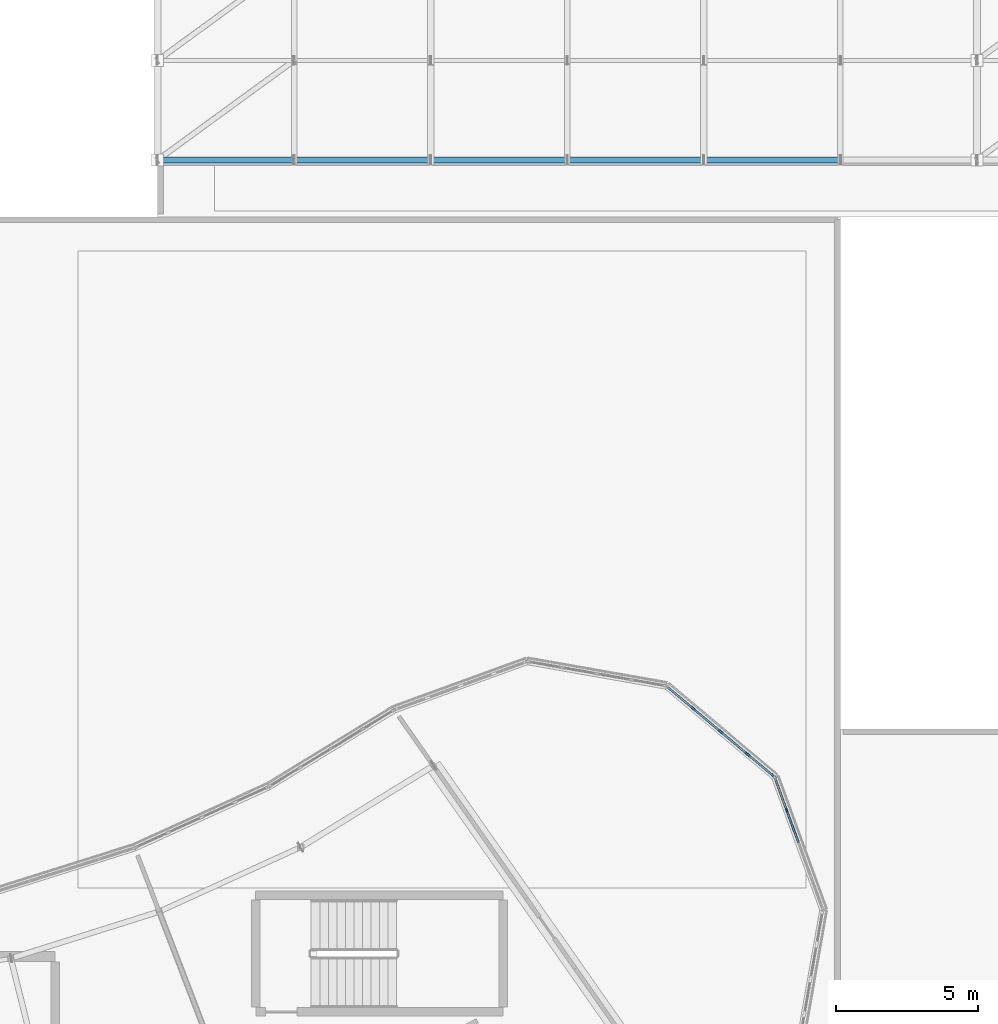
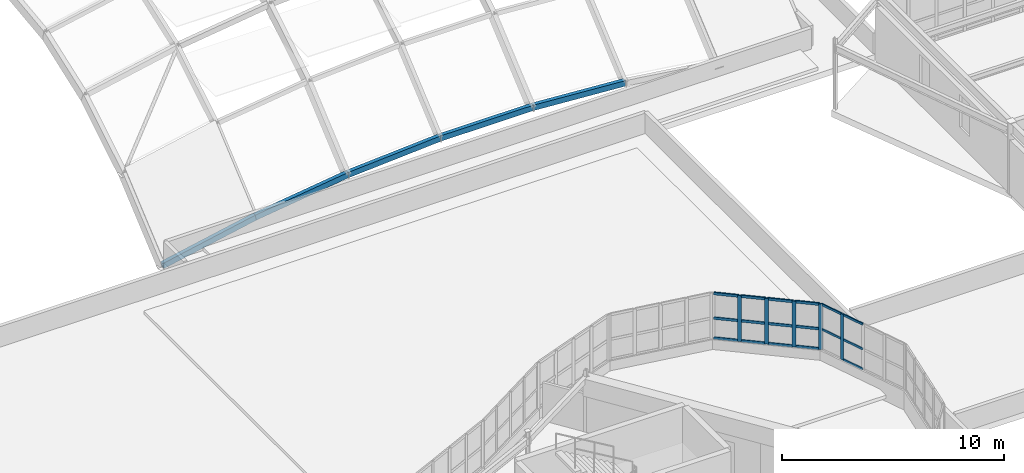
# One storey, part 37 of 128: 27 members, 2 elements without a shape of their own.
"""IFC4 building model written with IfcOpenShell, lengths in metres."""

from ifc_helpers import new_model, si_unit, direction, frame, origin, origin_2d, place, context, subcontext, project, spatial, rectangle, hollow_rectangle, extrude, material, layer, layer_set, material_profile, profile_set, type_object, element, aggregate, save


model = new_model("IFC4")

# Units and contexts
model_context = context("Model", 3, precision=1e-05, world=origin(), true_north=direction((0.0, 1.0)))
body_context = subcontext(model_context, "Body", "Model", "MODEL_VIEW")
ifc_project = project(units=[si_unit("LENGTHUNIT", "METRE"), si_unit("AREAUNIT", "SQUARE_METRE"), si_unit("VOLUMEUNIT", "CUBIC_METRE"), si_unit("PLANEANGLEUNIT", "RADIAN"), si_unit("MASSUNIT", "GRAM", prefix="KILO")], contexts=[model_context])

# Site, building, storey
site_placement = place(None, origin())
site = spatial("IfcSite", under=ifc_project, at=site_placement, CompositionType="ELEMENT")
building_placement = place(site_placement, origin())
building = spatial("IfcBuilding", under=site, at=building_placement, Name="Tarnwether General Hospital", CompositionType="ELEMENT")
storey_placement = place(building_placement, frame((0.0, 0.0, 14.39990234375)))
storey = spatial("IfcBuildingStorey", under=building, at=storey_placement, Name="L03", CompositionType="ELEMENT", Elevation=14.39990234375)

# Curtain wall, member
ifc_material_1 = material(Name="Anodised aluminium", Category="aluminium")
ifc_layer = layer(ifc_material_1, 0.159912109375)
ifc_layer_set = layer_set([ifc_layer], Name="Anodised aluminium")
curtain_wall_type = type_object("IfcCurtainWallType", Name="CW-04", PredefinedType="NOTDEFINED", material=ifc_layer_set)
curtain_wall_1_placement = place(storey_placement, origin())
curtain_wall_1 = element("IfcCurtainWall", 1, at=curtain_wall_1_placement, inside=storey, type_object=curtain_wall_type, Name="Curtain Wall CWG-L03-1297_259-0166", PredefinedType="NOTDEFINED")
ifc_material_2 = material(Name="Anodised aluminium", Category="aluminium")
ifc_material_profile_1 = material_profile(ifc_material_2, rectangle(XDim=0.06005859375, YDim=0.159912109375, at=origin_2d()), Name="ALU-MUL-60x160")
ifc_profile_set_1 = profile_set([ifc_material_profile_1], Name="Anodised aluminium")
member_type_1 = type_object("IfcMemberType", Name="CW-ML1", PredefinedType="MULLION", material=ifc_profile_set_1)
member_1_placement = place(storey_placement, frame((130.11474609375, 24.74267578125, 1.050048828125), z_axis=(0.0, 0.0, 1.0), x_axis=(0.939717006582, 0.341953136469, 0.0)))
member_1 = element("IfcMember", 2, at=member_1_placement, type_object=member_type_1, Name="CW-04 mullion 2", PredefinedType="MULLION", context=body_context, shape_type="SweptSolid", body=[
    extrude(rectangle(XDim=0.06005859375, YDim=0.159912109375, at=origin_2d()), origin(), (0.0, 0.0, 1.0), 2.510009765625),
])

# Curtain wall, members
curtain_wall_2_placement = place(storey_placement, origin())
curtain_wall_2 = element("IfcCurtainWall", 3, at=curtain_wall_2_placement, inside=storey, type_object=curtain_wall_type, Name="Curtain Wall CWG-L03-1259_291-0167", PredefinedType="NOTDEFINED")
ifc_material_3 = material(Name="Anodised aluminium", Category="aluminium")
ifc_material_profile_2 = material_profile(ifc_material_3, rectangle(XDim=0.070068359375, YDim=0.179931640625, at=origin_2d()), Name="ALU-MUL-70x180")
ifc_profile_set_2 = profile_set([ifc_material_profile_2], Name="Anodised aluminium")
member_type_2 = type_object("IfcMemberType", Name="CW-ML2", PredefinedType="MULLION", material=ifc_profile_set_2)
member_2_placement = place(storey_placement, frame((126.834716796875, 28.30615234375, 1.050048828125), z_axis=(0.0, 0.0, 1.0), x_axis=(0.64285227611, 0.765990176896, 0.0)))
member_2 = element("IfcMember", 4, at=member_2_placement, type_object=member_type_2, Name="CW-04 mullion 2", PredefinedType="MULLION", context=body_context, shape_type="SweptSolid", body=[
    extrude(rectangle(XDim=0.070068359375, YDim=0.179931640625, at=origin_2d()), origin(), (0.0, 0.0, 1.0), 2.510009765625),
])
member_3_placement = place(storey_placement, frame((127.78662109375, 27.507568359375, 1.050048828125), z_axis=(0.0, 0.0, 1.0), x_axis=(0.64285227611, 0.765990176896, 0.0)))
member_3 = element("IfcMember", 5, at=member_3_placement, type_object=member_type_2, Name="CW-04 mullion 3", PredefinedType="MULLION", context=body_context, shape_type="SweptSolid", body=[
    extrude(rectangle(XDim=0.070068359375, YDim=0.179931640625, at=origin_2d()), origin(), (0.0, 0.0, 1.0), 2.510009765625),
])
member_4_placement = place(storey_placement, frame((128.73828125, 26.708740234375, 1.050048828125), z_axis=(0.0, 0.0, 1.0), x_axis=(0.64285227611, 0.765990176896, 0.0)))
member_4 = element("IfcMember", 6, at=member_4_placement, type_object=member_type_2, Name="CW-04 mullion 4", PredefinedType="MULLION", context=body_context, shape_type="SweptSolid", body=[
    extrude(rectangle(XDim=0.070068359375, YDim=0.179931640625, at=origin_2d()), origin(), (0.0, 0.0, 1.0), 2.510009765625),
])
member_5_placement = place(storey_placement, frame((129.6630859375, 25.9326171875, 1.050048828125), z_axis=(0.0, 0.0, 1.0), x_axis=(0.64285227611, 0.765990176896, 0.0)))
member_5 = element("IfcMember", 7, at=member_5_placement, type_object=member_type_2, Name="CW-04 mullion 5", PredefinedType="MULLION", context=body_context, shape_type="SweptSolid", body=[
    extrude(rectangle(XDim=0.070068359375, YDim=0.179931640625, at=origin_2d()), origin(), (0.0, 0.0, 1.0), 2.510009765625),
])

# Member
ifc_material_4 = material(Name="Anodised aluminium", Category="aluminium")
ifc_material_profile_3 = material_profile(ifc_material_4, rectangle(XDim=0.06005859375, YDim=0.1201171875, at=origin_2d()), Name="ALU-TRN-60x120")
ifc_profile_set_3 = profile_set([ifc_material_profile_3], Name="Anodised aluminium")
member_type_3 = type_object("IfcMemberType", Name="CW-TR1", PredefinedType="USERDEFINED", material=ifc_profile_set_3)
member_6_placement = place(storey_placement, frame((129.71044921875, 25.853515625, 2.1796875), z_axis=(0.342049332837, -0.939681996159, 0.0), x_axis=(0.939681996159, 0.342049332837, 0.0)))
member_6 = element("IfcMember", 8, at=member_6_placement, type_object=member_type_3, Name="CW-04 transom 1.2", ObjectType="TRANSOM", PredefinedType="USERDEFINED", context=body_context, shape_type="SweptSolid", body=[
    extrude(rectangle(XDim=0.06005859375, YDim=0.1201171875, at=origin_2d()), origin(), (0.0, 0.0, 1.0), 1.152099609375),
])

member_7_placement = place(storey_placement, frame((129.71044921875, 25.853515625, 3.530029296875), z_axis=(0.342049332837, -0.939681996159, 0.0), x_axis=(0.939681996159, 0.342049332837, 0.0)))
member_7 = element("IfcMember", 9, at=member_7_placement, type_object=member_type_3, Name="CW-04 transom 1.3", ObjectType="TRANSOM", PredefinedType="USERDEFINED", context=body_context, shape_type="SweptSolid", body=[
    extrude(rectangle(XDim=0.06005859375, YDim=0.1201171875, at=origin_2d()), origin(), (0.0, 0.0, 1.0), 1.152099609375),
])

member_8_placement = place(storey_placement, frame((130.125, 24.714599609375, 1.080078125), z_axis=(0.342008368559, -0.939696906367, 0.0), x_axis=(0.939696906367, 0.342008368559, 0.0)))
member_8 = element("IfcMember", 10, at=member_8_placement, type_object=member_type_3, Name="CW-04 transom 2.1", ObjectType="TRANSOM", PredefinedType="USERDEFINED", context=body_context, shape_type="SweptSolid", body=[
    extrude(rectangle(XDim=0.06005859375, YDim=0.1201171875, at=origin_2d()), origin(), (0.0, 0.0, 1.0), 1.18212890625),
])

member_9_placement = place(storey_placement, frame((130.125, 24.714599609375, 2.1796875), z_axis=(0.342008368559, -0.939696906367, 0.0), x_axis=(0.939696906367, 0.342008368559, 0.0)))
member_9 = element("IfcMember", 11, at=member_9_placement, type_object=member_type_3, Name="CW-04 transom 2.2", ObjectType="TRANSOM", PredefinedType="USERDEFINED", context=body_context, shape_type="SweptSolid", body=[
    extrude(rectangle(XDim=0.06005859375, YDim=0.1201171875, at=origin_2d()), origin(), (0.0, 0.0, 1.0), 1.18212890625),
])

member_10_placement = place(storey_placement, frame((130.125, 24.714599609375, 3.530029296875), z_axis=(0.342008368559, -0.939696906367, 0.0), x_axis=(0.939696906367, 0.342008368559, 0.0)))
member_10 = element("IfcMember", 12, at=member_10_placement, type_object=member_type_3, Name="CW-04 transom 2.3", ObjectType="TRANSOM", PredefinedType="USERDEFINED", context=body_context, shape_type="SweptSolid", body=[
    extrude(rectangle(XDim=0.06005859375, YDim=0.1201171875, at=origin_2d()), origin(), (0.0, 0.0, 1.0), 1.18212890625),
])

aggregate(curtain_wall_1, [member_1, member_6, member_7, member_8, member_9, member_10])

ifc_material_5 = material(Name="Anodised aluminium", Category="aluminium")
ifc_material_profile_4 = material_profile(ifc_material_5, rectangle(XDim=0.070068359375, YDim=0.139892578125, at=origin_2d()), Name="ALU-TRN-70x140")
ifc_profile_set_4 = profile_set([ifc_material_profile_4], Name="Anodised aluminium")
member_type_4 = type_object("IfcMemberType", Name="CW-TR2", PredefinedType="USERDEFINED", material=ifc_profile_set_4)
member_11_placement = place(storey_placement, frame((125.9365234375, 29.06005859375, 1.085205078125), z_axis=(0.766017660128, -0.642819527062, 0.0), x_axis=(0.642819527062, 0.766017660128, 0.0)))
member_11 = element("IfcMember", 13, at=member_11_placement, type_object=member_type_4, Name="CW-04 transom 1.1", ObjectType="TRANSOM", PredefinedType="USERDEFINED", context=body_context, shape_type="SweptSolid", body=[
    extrude(rectangle(XDim=0.070068359375, YDim=0.139892578125, at=origin_2d()), origin(), (0.0, 0.0, 1.0), 1.137451171875),
])

member_12_placement = place(storey_placement, frame((125.9365234375, 29.06005859375, 2.1796875), z_axis=(0.766017660128, -0.642819527062, 0.0), x_axis=(0.642819527062, 0.766017660128, 0.0)))
member_12 = element("IfcMember", 14, at=member_12_placement, type_object=member_type_4, Name="CW-04 transom 1.2", ObjectType="TRANSOM", PredefinedType="USERDEFINED", context=body_context, shape_type="SweptSolid", body=[
    extrude(rectangle(XDim=0.070068359375, YDim=0.139892578125, at=origin_2d()), origin(), (0.0, 0.0, 1.0), 1.137451171875),
])

member_13_placement = place(storey_placement, frame((125.9365234375, 29.06005859375, 3.525146484375), z_axis=(0.766017660128, -0.642819527062, 0.0), x_axis=(0.642819527062, 0.766017660128, 0.0)))
member_13 = element("IfcMember", 15, at=member_13_placement, type_object=member_type_4, Name="CW-04 transom 1.3", ObjectType="TRANSOM", PredefinedType="USERDEFINED", context=body_context, shape_type="SweptSolid", body=[
    extrude(rectangle(XDim=0.070068359375, YDim=0.139892578125, at=origin_2d()), origin(), (0.0, 0.0, 1.0), 1.137451171875),
])

member_14_placement = place(storey_placement, frame((126.861572265625, 28.28369140625, 1.085205078125), z_axis=(0.766049317662, -0.642781800387, 0.0), x_axis=(0.642781800387, 0.766049317662, 0.0)))
member_14 = element("IfcMember", 16, at=member_14_placement, type_object=member_type_4, Name="CW-04 transom 2.1", ObjectType="TRANSOM", PredefinedType="USERDEFINED", context=body_context, shape_type="SweptSolid", body=[
    extrude(rectangle(XDim=0.070068359375, YDim=0.139892578125, at=origin_2d()), origin(), (0.0, 0.0, 1.0), 1.172607421875),
])

member_15_placement = place(storey_placement, frame((126.861572265625, 28.28369140625, 2.1796875), z_axis=(0.766049317662, -0.642781800387, 0.0), x_axis=(0.642781800387, 0.766049317662, 0.0)))
member_15 = element("IfcMember", 17, at=member_15_placement, type_object=member_type_4, Name="CW-04 transom 2.2", ObjectType="TRANSOM", PredefinedType="USERDEFINED", context=body_context, shape_type="SweptSolid", body=[
    extrude(rectangle(XDim=0.070068359375, YDim=0.139892578125, at=origin_2d()), origin(), (0.0, 0.0, 1.0), 1.172607421875),
])

member_16_placement = place(storey_placement, frame((126.861572265625, 28.28369140625, 3.525146484375), z_axis=(0.766049317662, -0.642781800387, 0.0), x_axis=(0.642781800387, 0.766049317662, 0.0)))
member_16 = element("IfcMember", 18, at=member_16_placement, type_object=member_type_4, Name="CW-04 transom 2.3", ObjectType="TRANSOM", PredefinedType="USERDEFINED", context=body_context, shape_type="SweptSolid", body=[
    extrude(rectangle(XDim=0.070068359375, YDim=0.139892578125, at=origin_2d()), origin(), (0.0, 0.0, 1.0), 1.172607421875),
])

member_17_placement = place(storey_placement, frame((127.813232421875, 27.485107421875, 1.085205078125), z_axis=(0.765946792519, -0.642903967191, 0.0), x_axis=(0.642903967191, 0.765946792519, 0.0)))
member_17 = element("IfcMember", 19, at=member_17_placement, type_object=member_type_4, Name="CW-04 transom 3.1", ObjectType="TRANSOM", PredefinedType="USERDEFINED", context=body_context, shape_type="SweptSolid", body=[
    extrude(rectangle(XDim=0.070068359375, YDim=0.139892578125, at=origin_2d()), origin(), (0.0, 0.0, 1.0), 1.172607421875),
])

member_18_placement = place(storey_placement, frame((127.813232421875, 27.485107421875, 2.1796875), z_axis=(0.765946792519, -0.642903967191, 0.0), x_axis=(0.642903967191, 0.765946792519, 0.0)))
member_18 = element("IfcMember", 20, at=member_18_placement, type_object=member_type_4, Name="CW-04 transom 3.2", ObjectType="TRANSOM", PredefinedType="USERDEFINED", context=body_context, shape_type="SweptSolid", body=[
    extrude(rectangle(XDim=0.070068359375, YDim=0.139892578125, at=origin_2d()), origin(), (0.0, 0.0, 1.0), 1.172607421875),
])

member_19_placement = place(storey_placement, frame((127.813232421875, 27.485107421875, 3.525146484375), z_axis=(0.765946792519, -0.642903967191, 0.0), x_axis=(0.642903967191, 0.765946792519, 0.0)))
member_19 = element("IfcMember", 21, at=member_19_placement, type_object=member_type_4, Name="CW-04 transom 3.3", ObjectType="TRANSOM", PredefinedType="USERDEFINED", context=body_context, shape_type="SweptSolid", body=[
    extrude(rectangle(XDim=0.070068359375, YDim=0.139892578125, at=origin_2d()), origin(), (0.0, 0.0, 1.0), 1.172607421875),
])

member_20_placement = place(storey_placement, frame((128.76513671875, 26.686279296875, 1.085205078125), z_axis=(0.766017660128, -0.642819527062, 0.0), x_axis=(0.642819527062, 0.766017660128, 0.0)))
member_20 = element("IfcMember", 22, at=member_20_placement, type_object=member_type_4, Name="CW-04 transom 4.1", ObjectType="TRANSOM", PredefinedType="USERDEFINED", context=body_context, shape_type="SweptSolid", body=[
    extrude(rectangle(XDim=0.070068359375, YDim=0.139892578125, at=origin_2d()), origin(), (0.0, 0.0, 1.0), 1.137451171875),
])

member_21_placement = place(storey_placement, frame((128.76513671875, 26.686279296875, 2.1796875), z_axis=(0.766017660128, -0.642819527062, 0.0), x_axis=(0.642819527062, 0.766017660128, 0.0)))
member_21 = element("IfcMember", 23, at=member_21_placement, type_object=member_type_4, Name="CW-04 transom 4.2", ObjectType="TRANSOM", PredefinedType="USERDEFINED", context=body_context, shape_type="SweptSolid", body=[
    extrude(rectangle(XDim=0.070068359375, YDim=0.139892578125, at=origin_2d()), origin(), (0.0, 0.0, 1.0), 1.137451171875),
])

member_22_placement = place(storey_placement, frame((128.76513671875, 26.686279296875, 3.525146484375), z_axis=(0.766017660128, -0.642819527062, 0.0), x_axis=(0.642819527062, 0.766017660128, 0.0)))
member_22 = element("IfcMember", 24, at=member_22_placement, type_object=member_type_4, Name="CW-04 transom 4.3", ObjectType="TRANSOM", PredefinedType="USERDEFINED", context=body_context, shape_type="SweptSolid", body=[
    extrude(rectangle(XDim=0.070068359375, YDim=0.139892578125, at=origin_2d()), origin(), (0.0, 0.0, 1.0), 1.137451171875),
])

aggregate(curtain_wall_2, [member_2, member_3, member_4, member_5, member_11, member_12, member_13, member_14, member_15, member_16, member_17, member_18, member_19, member_20, member_21, member_22])

# Members
ifc_material_6 = material(Name="Steel Grade C350L0 (350 MPa)", Category="steel")
ifc_material_profile_5 = material_profile(ifc_material_6, hollow_rectangle(XDim=0.199951171875, YDim=0.300048828125, WallThickness=0.012451171875, at=origin_2d()), Name="RHS300x200x12.5")
ifc_profile_set_5 = profile_set([ifc_material_profile_5], Name="Steel Grade C350L0 (350 MPa)")
member_type_5 = type_object("IfcMemberType", Name="MB-GS3", PredefinedType="CHORD", material=ifc_profile_set_5)
member_23_placement = place(storey_placement, frame((108.0, 47.60009765625, 0.110107421875), z_axis=(0.979808442283, 0.0, 0.199938531633), x_axis=(0.0, 1.0, 0.0)))
element("IfcMember", 25, at=member_23_placement, inside=storey, type_object=member_type_5, Name="Gridshell Steel Longitudinal Chord 065", PredefinedType="CHORD", context=body_context, shape_type="SweptSolid", body=[
    extrude(hollow_rectangle(XDim=0.199951171875, YDim=0.300048828125, WallThickness=0.012451171875, at=origin_2d()), origin(), (0.0, 0.0, 1.0), 4.89892578125),
])
member_24_placement = place(storey_placement, frame((112.800048828125, 47.60009765625, 1.089599609375), z_axis=(0.990870911369, 0.0, 0.134814083104), x_axis=(0.0, 1.0, 0.0)))
element("IfcMember", 26, at=member_24_placement, inside=storey, type_object=member_type_5, Name="Gridshell Steel Longitudinal Chord 066", PredefinedType="CHORD", context=body_context, shape_type="SweptSolid", body=[
    extrude(hollow_rectangle(XDim=0.199951171875, YDim=0.300048828125, WallThickness=0.012451171875, at=origin_2d()), origin(), (0.0, 0.0, 1.0), 4.84423828125),
])
member_25_placement = place(storey_placement, frame((117.60009765625, 47.60009765625, 1.74267578125), z_axis=(0.997692138514, 0.0, 0.067899902408), x_axis=(0.0, 1.0, 0.0)))
element("IfcMember", 27, at=member_25_placement, inside=storey, type_object=member_type_5, Name="Gridshell Steel Longitudinal Chord 067", PredefinedType="CHORD", context=body_context, shape_type="SweptSolid", body=[
    extrude(hollow_rectangle(XDim=0.199951171875, YDim=0.300048828125, WallThickness=0.012451171875, at=origin_2d()), origin(), (0.0, 0.0, 1.0), 4.810791015625),
])
member_26_placement = place(storey_placement, frame((122.39990234375, 47.60009765625, 2.0693359375), z_axis=(1.0, 0.0, 0.0), x_axis=(0.0, 1.0, 0.0)))
element("IfcMember", 28, at=member_26_placement, inside=storey, type_object=member_type_5, Name="Gridshell Steel Longitudinal Chord 068", PredefinedType="CHORD", context=body_context, shape_type="SweptSolid", body=[
    extrude(hollow_rectangle(XDim=0.199951171875, YDim=0.300048828125, WallThickness=0.012451171875, at=origin_2d()), origin(), (0.0, 0.0, 1.0), 4.800048828125),
])
member_27_placement = place(storey_placement, frame((127.199951171875, 47.60009765625, 2.0693359375), z_axis=(0.997692372462, 0.0, -0.067896464796), x_axis=(0.0, 1.0, 0.0)))
element("IfcMember", 29, at=member_27_placement, inside=storey, type_object=member_type_5, Name="Gridshell Steel Longitudinal Chord 069", PredefinedType="CHORD", context=body_context, shape_type="SweptSolid", body=[
    extrude(hollow_rectangle(XDim=0.199951171875, YDim=0.300048828125, WallThickness=0.012451171875, at=origin_2d()), origin(), (0.0, 0.0, 1.0), 4.81103515625),
])

save(model, "model.ifc")
